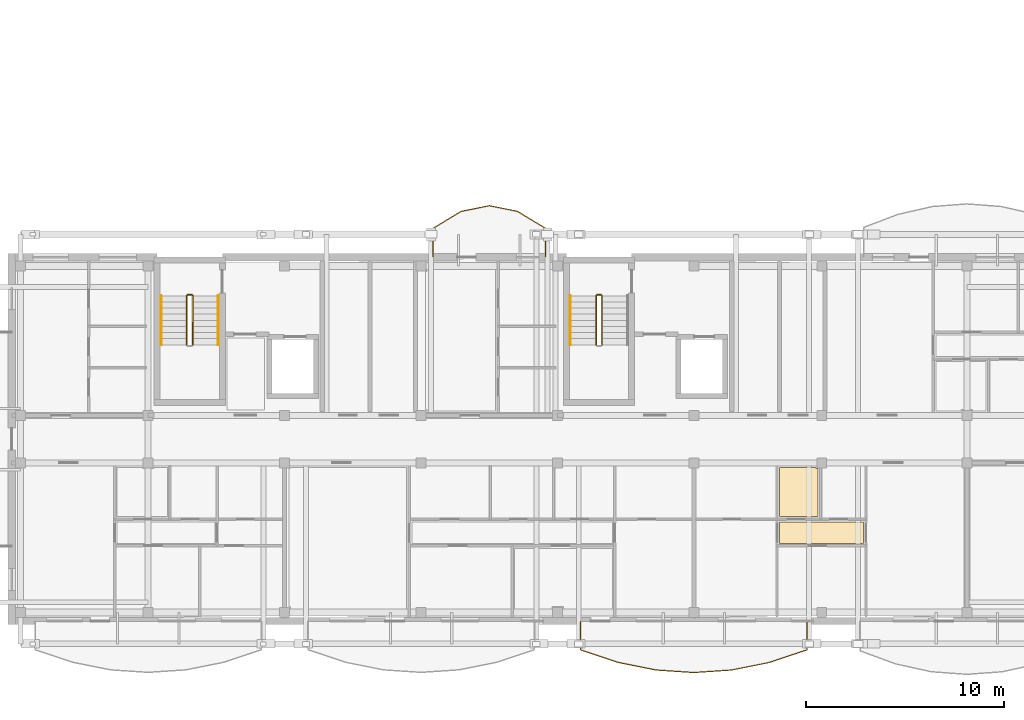
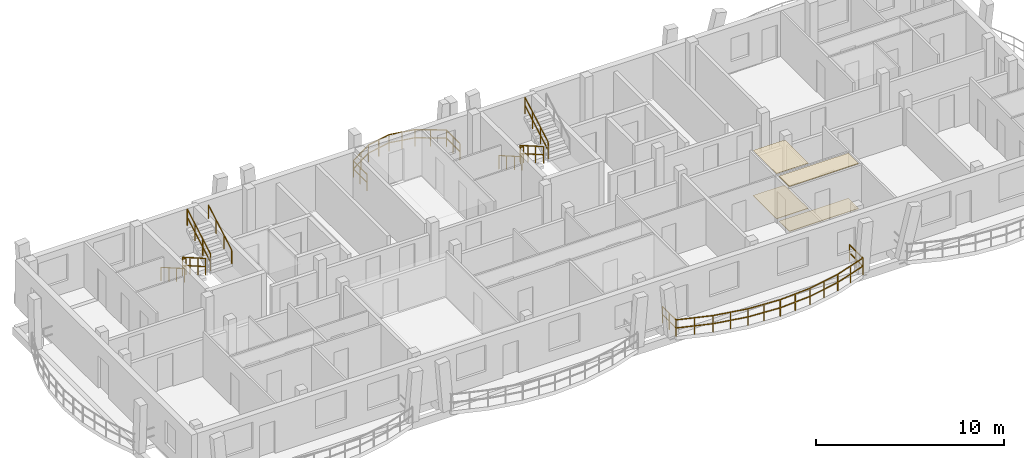
# One storey, part 38 of 48: 11 railings, 4 coverings.
"""IFC4 building model written with IfcOpenShell, lengths in metres."""

from ifc_helpers import new_model, si_unit, direction, frame, origin, origin_2d, place, context, subcontext, project, spatial, polyline, rectangle, outline, extrude, material, layer, layer_set, type_object, element, save


model = new_model("IFC4")

# Units and contexts
model_context = context("Model", 3, precision=1e-05, world=origin(), true_north=direction((0.0, 1.0)))
body_context = subcontext(model_context, "Body", "Model", "MODEL_VIEW")
ifc_project = project(units=[si_unit("LENGTHUNIT", "METRE"), si_unit("AREAUNIT", "SQUARE_METRE"), si_unit("VOLUMEUNIT", "CUBIC_METRE"), si_unit("PLANEANGLEUNIT", "RADIAN"), si_unit("MASSUNIT", "GRAM", prefix="KILO")], contexts=[model_context])

# Site, building, storey
site_placement = place(None, origin())
site = spatial("IfcSite", under=ifc_project, at=site_placement, CompositionType="ELEMENT")
building_placement = place(site_placement, origin())
building = spatial("IfcBuilding", under=site, at=building_placement, Name="Zavelmont Quarter", CompositionType="ELEMENT")
storey_placement = place(building_placement, frame((0.0, 0.0, 17.60009765625)))
storey = spatial("IfcBuildingStorey", under=building, at=storey_placement, Name="L05", CompositionType="ELEMENT", Elevation=17.60009765625)

# Coverings
ifc_material_1 = material(Name="Slatted European ash acoustic baffle ceiling")
ifc_layer_1 = layer(ifc_material_1, 0.0400390625)
ifc_layer_set_1 = layer_set([ifc_layer_1], Name="Slatted European ash acoustic baffle ceiling")
covering_type_1 = type_object("IfcCoveringType", Name="CV-CL02", PredefinedType="CEILING", material=ifc_layer_set_1)
covering_1_placement = place(storey_placement, frame((0.0, 0.0, 2.909912109375)))
element("IfcCovering", 1, at=covering_1_placement, inside=storey, type_object=covering_type_1, Name="L05 Apartment Hall acoustic ceiling", PredefinedType="CEILING", context=body_context, shape_type="SweptSolid", body=[
    extrude(outline(polyline([(38.830078125, 5.02001953125), (43.070068359375, 5.02001953125), (43.070068359375, 3.929931640625), (38.830078125, 3.929931640625), (38.830078125, 5.02001953125)])), origin(), (0.0, 0.0, 1.0), 0.0400390625),
])
ifc_material_2 = material(Name="Moisture-resistant painted gypsum ceiling")
ifc_layer_2 = layer(ifc_material_2, 0.02001953125)
ifc_layer_set_2 = layer_set([ifc_layer_2], Name="Moisture-resistant painted gypsum ceiling")
covering_type_2 = type_object("IfcCoveringType", Name="CV-CL04", PredefinedType="CEILING", material=ifc_layer_set_2)
covering_2_placement = place(storey_placement, frame((0.0, 0.0, 2.929931640625)))
element("IfcCovering", 2, at=covering_2_placement, inside=storey, type_object=covering_type_2, Name="L05 Bathroom acoustic ceiling", PredefinedType="CEILING", context=body_context, shape_type="SweptSolid", body=[
    extrude(outline(polyline([(38.830078125, 7.77001953125), (40.669921875, 7.77001953125), (40.669921875, 7.7099609375), (40.77001953125, 7.7099609375), (40.77001953125, 5.280029296875), (38.830078125, 5.280029296875), (38.830078125, 7.77001953125)])), origin(), (0.0, 0.0, 1.0), 0.02001953125),
])
ifc_material_3 = material(Name="Honed Belgian bluestone tile", Category="masonry")
ifc_layer_3 = layer(ifc_material_3, 0.030029296875)
ifc_layer_set_3 = layer_set([ifc_layer_3], Name="Honed Belgian bluestone tile")
covering_type_3 = type_object("IfcCoveringType", Name="CV-FL02", PredefinedType="FLOORING", material=ifc_layer_set_3)
covering_3_placement = place(storey_placement, origin())
element("IfcCovering", 3, at=covering_3_placement, inside=storey, type_object=covering_type_3, Name="L05 Apartment Hall floor finish", PredefinedType="FLOORING", context=body_context, shape_type="SweptSolid", body=[
    extrude(outline(polyline([(38.830078125, 5.02001953125), (43.070068359375, 5.02001953125), (43.070068359375, 3.929931640625), (38.830078125, 3.929931640625), (38.830078125, 5.02001953125)])), origin(), (0.0, 0.0, 1.0), 0.02978515625),
])
ifc_material_4 = material(Name="Slip-resistant porcelain tile")
ifc_layer_4 = layer(ifc_material_4, 0.02587890625)
ifc_layer_set_4 = layer_set([ifc_layer_4], Name="Slip-resistant porcelain tile")
covering_type_4 = type_object("IfcCoveringType", Name="CV-FL04", PredefinedType="FLOORING", material=ifc_layer_set_4)
covering_4_placement = place(storey_placement, origin())
element("IfcCovering", 4, at=covering_4_placement, inside=storey, type_object=covering_type_4, Name="L05 Bathroom floor finish", PredefinedType="FLOORING", context=body_context, shape_type="SweptSolid", body=[
    extrude(outline(polyline([(38.830078125, 7.77001953125), (40.669921875, 7.77001953125), (40.669921875, 7.7099609375), (40.77001953125, 7.7099609375), (40.77001953125, 5.280029296875), (38.830078125, 5.280029296875), (38.830078125, 7.77001953125)])), origin(), (0.0, 0.0, 1.0), 0.02587890625),
])

# Railings
ifc_material_5 = material(Name="Powder-coated steel and tempered double safety glass", Category="steel")
railing_type_1 = type_object("IfcRailingType", Name="RL-BAL1", PredefinedType="BALUSTRADE", material=ifc_material_5)
railing_1_placement = place(storey_placement, frame((28.77294921875, -0.02001953125, 0.0)))
element("IfcRailing", 5, at=railing_1_placement, inside=storey, type_object=railing_type_1, Name="L05 Block A curved balcony guard RL-BAL1", PredefinedType="BALUSTRADE", context=body_context, shape_type="SweptSolid", body=[
    extrude(rectangle(XDim=0.048095703125, YDim=0.048095703125, at=origin_2d()), frame((0.0, 0.0, 1.076171875), z_axis=(0.0, -1.0, 0.0), x_axis=(1.0, 0.0, 0.0)), (0.0, 0.0, 1.0), 1.43994140625),
    extrude(rectangle(XDim=0.048095703125, YDim=0.048095703125, at=origin_2d()), frame((0.0, 0.0, 0.550048828125), z_axis=(0.0, -1.0, 0.0), x_axis=(1.0, 0.0, 0.0)), (0.0, 0.0, 1.0), 1.43994140625),
    extrude(rectangle(XDim=0.048095703125, YDim=0.048095703125, at=origin_2d()), frame((0.0, -1.43994140625, 1.076171875), z_axis=(0.948549768801, -0.316628072205, 0.0), x_axis=(0.316628072205, 0.948549768801, 0.0)), (0.0, 0.0, 1.0), 2.012451171875),
    extrude(rectangle(XDim=0.048095703125, YDim=0.048095703125, at=origin_2d()), frame((0.0, -1.43994140625, 0.550048828125), z_axis=(0.948549768801, -0.316628072205, 0.0), x_axis=(0.316628072205, 0.948549768801, 0.0)), (0.0, 0.0, 1.0), 2.012451171875),
    extrude(rectangle(XDim=0.048095703125, YDim=0.048095703125, at=origin_2d()), frame((1.908935546875, -2.0771484375, 1.076171875), z_axis=(0.980532419975, -0.19635725955, 0.0), x_axis=(0.19635725955, 0.980532419975, 0.0)), (0.0, 0.0, 1.0), 1.947021484375),
    extrude(rectangle(XDim=0.048095703125, YDim=0.048095703125, at=origin_2d()), frame((1.908935546875, -2.0771484375, 0.550048828125), z_axis=(0.980532419975, -0.19635725955, 0.0), x_axis=(0.19635725955, 0.980532419975, 0.0)), (0.0, 0.0, 1.0), 1.947021484375),
    extrude(rectangle(XDim=0.048095703125, YDim=0.048095703125, at=origin_2d()), frame((3.818115234375, -2.45947265625, 1.076171875), z_axis=(0.997778942424, -0.066612176486, 0.0), x_axis=(0.066612176486, 0.997778942424, 0.0)), (0.0, 0.0, 1.0), 1.9130859375),
    extrude(rectangle(XDim=0.048095703125, YDim=0.048095703125, at=origin_2d()), frame((3.818115234375, -2.45947265625, 0.550048828125), z_axis=(0.997778942424, -0.066612176486, 0.0), x_axis=(0.066612176486, 0.997778942424, 0.0)), (0.0, 0.0, 1.0), 1.9130859375),
    extrude(rectangle(XDim=0.048095703125, YDim=0.048095703125, at=origin_2d()), frame((5.72705078125, -2.5869140625, 1.076171875), z_axis=(0.997778942424, 0.066612176486, 0.0), x_axis=(-0.066612176486, 0.997778942424, 0.0)), (0.0, 0.0, 1.0), 1.9130859375),
    extrude(rectangle(XDim=0.048095703125, YDim=0.048095703125, at=origin_2d()), frame((5.72705078125, -2.5869140625, 0.550048828125), z_axis=(0.997778942424, 0.066612176486, 0.0), x_axis=(-0.066612176486, 0.997778942424, 0.0)), (0.0, 0.0, 1.0), 1.9130859375),
    extrude(rectangle(XDim=0.048095703125, YDim=0.048095703125, at=origin_2d()), frame((7.635986328125, -2.45947265625, 1.076171875), z_axis=(0.980532419975, 0.19635725955, 0.0), x_axis=(-0.19635725955, 0.980532419975, 0.0)), (0.0, 0.0, 1.0), 1.947021484375),
    extrude(rectangle(XDim=0.048095703125, YDim=0.048095703125, at=origin_2d()), frame((7.635986328125, -2.45947265625, 0.550048828125), z_axis=(0.980532419975, 0.19635725955, 0.0), x_axis=(-0.19635725955, 0.980532419975, 0.0)), (0.0, 0.0, 1.0), 1.947021484375),
    extrude(rectangle(XDim=0.048095703125, YDim=0.048095703125, at=origin_2d()), frame((9.545166015625, -2.0771484375, 1.076171875), z_axis=(0.948549768801, 0.316628072205, 0.0), x_axis=(-0.316628072205, 0.948549768801, 0.0)), (0.0, 0.0, 1.0), 2.012451171875),
    extrude(rectangle(XDim=0.048095703125, YDim=0.048095703125, at=origin_2d()), frame((9.545166015625, -2.0771484375, 0.550048828125), z_axis=(0.948549768801, 0.316628072205, 0.0), x_axis=(-0.316628072205, 0.948549768801, 0.0)), (0.0, 0.0, 1.0), 2.012451171875),
    extrude(rectangle(XDim=0.048095703125, YDim=0.048095703125, at=origin_2d()), frame((11.4541015625, -1.43994140625, 1.076171875), z_axis=(0.0, 1.0, 0.0), x_axis=(-1.0, 0.0, 0.0)), (0.0, 0.0, 1.0), 1.43994140625),
    extrude(rectangle(XDim=0.048095703125, YDim=0.048095703125, at=origin_2d()), frame((11.4541015625, -1.43994140625, 0.550048828125), z_axis=(0.0, 1.0, 0.0), x_axis=(-1.0, 0.0, 0.0)), (0.0, 0.0, 1.0), 1.43994140625),
    extrude(rectangle(XDim=0.0419921875, YDim=0.0419921875, at=origin_2d()), origin(), (0.0, 0.0, 1.0), 1.052001953125),
    extrude(rectangle(XDim=0.0419921875, YDim=0.0419921875, at=origin_2d()), frame((0.0, -0.719970703125, 0.0)), (0.0, 0.0, 1.0), 1.052001953125),
    extrude(rectangle(XDim=0.0419921875, YDim=0.0419921875, at=origin_2d()), frame((0.0, -1.43994140625, 0.0)), (0.0, 0.0, 1.0), 1.052001953125),
    extrude(rectangle(XDim=0.0419921875, YDim=0.0419921875, at=origin_2d()), frame((0.95458984375, -1.758544921875, 0.0)), (0.0, 0.0, 1.0), 1.052001953125),
    extrude(rectangle(XDim=0.0419921875, YDim=0.0419921875, at=origin_2d()), frame((1.908935546875, -2.0771484375, 0.0)), (0.0, 0.0, 1.0), 1.052001953125),
    extrude(rectangle(XDim=0.0419921875, YDim=0.0419921875, at=origin_2d()), frame((2.863525390625, -2.268310546875, 0.0)), (0.0, 0.0, 1.0), 1.052001953125),
    extrude(rectangle(XDim=0.0419921875, YDim=0.0419921875, at=origin_2d()), frame((3.818115234375, -2.45947265625, 0.0)), (0.0, 0.0, 1.0), 1.052001953125),
    extrude(rectangle(XDim=0.0419921875, YDim=0.0419921875, at=origin_2d()), frame((4.7724609375, -2.523193359375, 0.0)), (0.0, 0.0, 1.0), 1.052001953125),
    extrude(rectangle(XDim=0.0419921875, YDim=0.0419921875, at=origin_2d()), frame((5.72705078125, -2.5869140625, 0.0)), (0.0, 0.0, 1.0), 1.052001953125),
    extrude(rectangle(XDim=0.0419921875, YDim=0.0419921875, at=origin_2d()), frame((6.681640625, -2.523193359375, 0.0)), (0.0, 0.0, 1.0), 1.052001953125),
    extrude(rectangle(XDim=0.0419921875, YDim=0.0419921875, at=origin_2d()), frame((7.635986328125, -2.45947265625, 0.0)), (0.0, 0.0, 1.0), 1.052001953125),
    extrude(rectangle(XDim=0.0419921875, YDim=0.0419921875, at=origin_2d()), frame((8.590576171875, -2.268310546875, 0.0)), (0.0, 0.0, 1.0), 1.052001953125),
    extrude(rectangle(XDim=0.0419921875, YDim=0.0419921875, at=origin_2d()), frame((9.545166015625, -2.0771484375, 0.0)), (0.0, 0.0, 1.0), 1.052001953125),
    extrude(rectangle(XDim=0.0419921875, YDim=0.0419921875, at=origin_2d()), frame((10.49951171875, -1.758544921875, 0.0)), (0.0, 0.0, 1.0), 1.052001953125),
    extrude(rectangle(XDim=0.0419921875, YDim=0.0419921875, at=origin_2d()), frame((11.4541015625, -1.43994140625, 0.0)), (0.0, 0.0, 1.0), 1.052001953125),
    extrude(rectangle(XDim=0.0419921875, YDim=0.0419921875, at=origin_2d()), frame((11.4541015625, -0.719970703125, 0.0)), (0.0, 0.0, 1.0), 1.052001953125),
    extrude(rectangle(XDim=0.0419921875, YDim=0.0419921875, at=origin_2d()), frame((11.4541015625, 0.0, 0.0)), (0.0, 0.0, 1.0), 1.052001953125),
])
railing_2_placement = place(storey_placement, frame((27.0, 18.419921875, 0.0)))
element("IfcRailing", 6, at=railing_2_placement, inside=storey, type_object=railing_type_1, Name="L05 Block A curved balcony guard RL-BAL1", PredefinedType="BALUSTRADE", context=body_context, shape_type="SweptSolid", body=[
    extrude(rectangle(XDim=0.048095703125, YDim=0.048095703125, at=origin_2d()), frame((0.0, 0.0, 1.076171875), z_axis=(0.0, 1.0, 0.0), x_axis=(-1.0, 0.0, 0.0)), (0.0, 0.0, 1.0), 1.43994140625),
    extrude(rectangle(XDim=0.048095703125, YDim=0.048095703125, at=origin_2d()), frame((0.0, 0.0, 0.550048828125), z_axis=(0.0, 1.0, 0.0), x_axis=(-1.0, 0.0, 0.0)), (0.0, 0.0, 1.0), 1.43994140625),
    extrude(rectangle(XDim=0.048095703125, YDim=0.048095703125, at=origin_2d()), frame((0.0, 1.43994140625, 1.076171875), z_axis=(-0.856079138137, 0.516844763199, 0.0), x_axis=(-0.516844763199, -0.856079138137, 0.0)), (0.0, 0.0, 1.0), 1.66455078125),
    extrude(rectangle(XDim=0.048095703125, YDim=0.048095703125, at=origin_2d()), frame((0.0, 1.43994140625, 0.550048828125), z_axis=(-0.856079138137, 0.516844763199, 0.0), x_axis=(-0.516844763199, -0.856079138137, 0.0)), (0.0, 0.0, 1.0), 1.66455078125),
    extrude(rectangle(XDim=0.048095703125, YDim=0.048095703125, at=origin_2d()), frame((-1.425048828125, 2.30029296875, 1.076171875), z_axis=(-0.980334439632, 0.197343321324, 0.0), x_axis=(-0.197343321324, -0.980334439632, 0.0)), (0.0, 0.0, 1.0), 1.45361328125),
    extrude(rectangle(XDim=0.048095703125, YDim=0.048095703125, at=origin_2d()), frame((-1.425048828125, 2.30029296875, 0.550048828125), z_axis=(-0.980334439632, 0.197343321324, 0.0), x_axis=(-0.197343321324, -0.980334439632, 0.0)), (0.0, 0.0, 1.0), 1.45361328125),
    extrude(rectangle(XDim=0.048095703125, YDim=0.048095703125, at=origin_2d()), frame((-2.85009765625, 2.587158203125, 1.076171875), z_axis=(-0.980327897238, -0.197375818926, 0.0), x_axis=(0.197375818926, -0.980327897238, 0.0)), (0.0, 0.0, 1.0), 1.453369140625),
    extrude(rectangle(XDim=0.048095703125, YDim=0.048095703125, at=origin_2d()), frame((-2.85009765625, 2.587158203125, 0.550048828125), z_axis=(-0.980327897238, -0.197375818926, 0.0), x_axis=(0.197375818926, -0.980327897238, 0.0)), (0.0, 0.0, 1.0), 1.453369140625),
    extrude(rectangle(XDim=0.048095703125, YDim=0.048095703125, at=origin_2d()), frame((-4.27490234375, 2.30029296875, 1.076171875), z_axis=(-0.856079138137, -0.516844763199, 0.0), x_axis=(0.516844763199, -0.856079138137, 0.0)), (0.0, 0.0, 1.0), 1.66455078125),
    extrude(rectangle(XDim=0.048095703125, YDim=0.048095703125, at=origin_2d()), frame((-4.27490234375, 2.30029296875, 0.550048828125), z_axis=(-0.856079138137, -0.516844763199, 0.0), x_axis=(0.516844763199, -0.856079138137, 0.0)), (0.0, 0.0, 1.0), 1.66455078125),
    extrude(rectangle(XDim=0.048095703125, YDim=0.048095703125, at=origin_2d()), frame((-5.699951171875, 1.43994140625, 1.076171875), z_axis=(0.0, -1.0, 0.0), x_axis=(1.0, 0.0, 0.0)), (0.0, 0.0, 1.0), 1.43994140625),
    extrude(rectangle(XDim=0.048095703125, YDim=0.048095703125, at=origin_2d()), frame((-5.699951171875, 1.43994140625, 0.550048828125), z_axis=(0.0, -1.0, 0.0), x_axis=(1.0, 0.0, 0.0)), (0.0, 0.0, 1.0), 1.43994140625),
    extrude(rectangle(XDim=0.0419921875, YDim=0.0419921875, at=origin_2d()), origin(), (0.0, 0.0, 1.0), 1.052001953125),
    extrude(rectangle(XDim=0.0419921875, YDim=0.0419921875, at=origin_2d()), frame((0.0, 0.719970703125, 0.0)), (0.0, 0.0, 1.0), 1.052001953125),
    extrude(rectangle(XDim=0.0419921875, YDim=0.0419921875, at=origin_2d()), frame((0.0, 1.43994140625, 0.0)), (0.0, 0.0, 1.0), 1.052001953125),
    extrude(rectangle(XDim=0.0419921875, YDim=0.0419921875, at=origin_2d()), frame((-0.71240234375, 1.8701171875, 0.0)), (0.0, 0.0, 1.0), 1.052001953125),
    extrude(rectangle(XDim=0.0419921875, YDim=0.0419921875, at=origin_2d()), frame((-1.425048828125, 2.30029296875, 0.0)), (0.0, 0.0, 1.0), 1.052001953125),
    extrude(rectangle(XDim=0.0419921875, YDim=0.0419921875, at=origin_2d()), frame((-2.1376953125, 2.44384765625, 0.0)), (0.0, 0.0, 1.0), 1.052001953125),
    extrude(rectangle(XDim=0.0419921875, YDim=0.0419921875, at=origin_2d()), frame((-2.85009765625, 2.587158203125, 0.0)), (0.0, 0.0, 1.0), 1.052001953125),
    extrude(rectangle(XDim=0.0419921875, YDim=0.0419921875, at=origin_2d()), frame((-3.5625, 2.44384765625, 0.0)), (0.0, 0.0, 1.0), 1.052001953125),
    extrude(rectangle(XDim=0.0419921875, YDim=0.0419921875, at=origin_2d()), frame((-4.27490234375, 2.30029296875, 0.0)), (0.0, 0.0, 1.0), 1.052001953125),
    extrude(rectangle(XDim=0.0419921875, YDim=0.0419921875, at=origin_2d()), frame((-4.9873046875, 1.8701171875, 0.0)), (0.0, 0.0, 1.0), 1.052001953125),
    extrude(rectangle(XDim=0.0419921875, YDim=0.0419921875, at=origin_2d()), frame((-5.699951171875, 1.43994140625, 0.0)), (0.0, 0.0, 1.0), 1.052001953125),
    extrude(rectangle(XDim=0.0419921875, YDim=0.0419921875, at=origin_2d()), frame((-5.699951171875, 0.719970703125, 0.0)), (0.0, 0.0, 1.0), 1.052001953125),
    extrude(rectangle(XDim=0.0419921875, YDim=0.0419921875, at=origin_2d()), frame((-5.699951171875, 0.0, 0.0)), (0.0, 0.0, 1.0), 1.052001953125),
])
ifc_material_6 = material(Name="Powder-coated steel stair guardrail", Category="steel")
railing_type_2 = type_object("IfcRailingType", Name="RL-GRD1", PredefinedType="GUARDRAIL", material=ifc_material_6)
railing_3_placement = place(storey_placement, frame((8.85009765625, 16.449951171875, 0.177734375)))
element("IfcRailing", 7, at=railing_3_placement, inside=storey, type_object=railing_type_2, Name="L05 ST01 stair guardrail 1", PredefinedType="GUARDRAIL", context=body_context, shape_type="SweptSolid", body=[
    extrude(rectangle(XDim=0.048095703125, YDim=0.048095703125, at=origin_2d()), frame((0.0, 0.0, 1.076171875), z_axis=(0.0, -0.867490628297, 0.497453525283), x_axis=(1.0, 0.0, 0.0)), (0.0, 0.0, 1.0), 2.85888671875),
    extrude(rectangle(XDim=0.048095703125, YDim=0.048095703125, at=origin_2d()), frame((0.0, 0.0, 0.550048828125), z_axis=(0.0, -0.867490628297, 0.497453525283), x_axis=(1.0, 0.0, 0.0)), (0.0, 0.0, 1.0), 2.85888671875),
    extrude(rectangle(XDim=0.0419921875, YDim=0.0419921875, at=origin_2d()), origin(), (0.0, 0.0, 1.0), 1.052001953125),
    extrude(rectangle(XDim=0.0419921875, YDim=0.0419921875, at=origin_2d()), frame((0.0, -0.82666015625, 0.47412109375)), (0.0, 0.0, 1.0), 1.052001953125),
    extrude(rectangle(XDim=0.0419921875, YDim=0.0419921875, at=origin_2d()), frame((0.0, -1.6533203125, 0.947998046875)), (0.0, 0.0, 1.0), 1.052001953125),
    extrude(rectangle(XDim=0.0419921875, YDim=0.0419921875, at=origin_2d()), frame((0.0, -2.47998046875, 1.422119140625)), (0.0, 0.0, 1.0), 1.052001953125),
])
railing_4_placement = place(storey_placement, frame((9.14990234375, 13.969970703125, 1.777587890625)))
element("IfcRailing", 8, at=railing_4_placement, inside=storey, type_object=railing_type_2, Name="L05 ST01 stair guardrail 3", PredefinedType="GUARDRAIL", context=body_context, shape_type="SweptSolid", body=[
    extrude(rectangle(XDim=0.048095703125, YDim=0.048095703125, at=origin_2d()), frame((0.0, 0.0, 1.076171875), z_axis=(0.0, 0.867453774394, 0.497517787913), x_axis=(-1.0, 0.0, 0.0)), (0.0, 0.0, 1.0), 2.85888671875),
    extrude(rectangle(XDim=0.048095703125, YDim=0.048095703125, at=origin_2d()), frame((0.0, 0.0, 0.550048828125), z_axis=(0.0, 0.867453774394, 0.497517787913), x_axis=(-1.0, 0.0, 0.0)), (0.0, 0.0, 1.0), 2.85888671875),
    extrude(rectangle(XDim=0.0419921875, YDim=0.0419921875, at=origin_2d()), origin(), (0.0, 0.0, 1.0), 1.052001953125),
    extrude(rectangle(XDim=0.0419921875, YDim=0.0419921875, at=origin_2d()), frame((0.0, 0.82666015625, 0.47412109375)), (0.0, 0.0, 1.0), 1.052001953125),
    extrude(rectangle(XDim=0.0419921875, YDim=0.0419921875, at=origin_2d()), frame((0.0, 1.6533203125, 0.9482421875)), (0.0, 0.0, 1.0), 1.052001953125),
    extrude(rectangle(XDim=0.0419921875, YDim=0.0419921875, at=origin_2d()), frame((0.0, 2.47998046875, 1.42236328125)), (0.0, 0.0, 1.0), 1.052001953125),
])
railing_5_placement = place(storey_placement, frame((8.89990234375, 16.5, 0.0)))
element("IfcRailing", 9, at=railing_5_placement, inside=storey, type_object=railing_type_2, Name="L05 ST01 stair guardrail 4", PredefinedType="GUARDRAIL", context=body_context, shape_type="SweptSolid", body=[
    extrude(rectangle(XDim=0.048095703125, YDim=0.048095703125, at=origin_2d()), frame((0.0, 0.0, 1.076171875), z_axis=(1.0, 0.0, 0.0), x_axis=(0.0, 1.0, 0.0)), (0.0, 0.0, 1.0), 0.2001953125),
    extrude(rectangle(XDim=0.048095703125, YDim=0.048095703125, at=origin_2d()), frame((0.0, 0.0, 0.550048828125), z_axis=(1.0, 0.0, 0.0), x_axis=(0.0, 1.0, 0.0)), (0.0, 0.0, 1.0), 0.2001953125),
    extrude(rectangle(XDim=0.0419921875, YDim=0.0419921875, at=origin_2d()), origin(), (0.0, 0.0, 1.0), 1.052001953125),
    extrude(rectangle(XDim=0.0419921875, YDim=0.0419921875, at=origin_2d()), frame((0.2001953125, 0.0, 0.0)), (0.0, 0.0, 1.0), 1.052001953125),
])
railing_6_placement = place(storey_placement, frame((29.550048828125, 16.449951171875, 0.177734375)))
element("IfcRailing", 10, at=railing_6_placement, inside=storey, type_object=railing_type_2, Name="L05 ST02 stair guardrail 1", PredefinedType="GUARDRAIL", context=body_context, shape_type="SweptSolid", body=[
    extrude(rectangle(XDim=0.048095703125, YDim=0.048095703125, at=origin_2d()), frame((0.0, 0.0, 1.076171875), z_axis=(0.0, -0.867490628297, 0.497453525283), x_axis=(1.0, 0.0, 0.0)), (0.0, 0.0, 1.0), 2.85888671875),
    extrude(rectangle(XDim=0.048095703125, YDim=0.048095703125, at=origin_2d()), frame((0.0, 0.0, 0.550048828125), z_axis=(0.0, -0.867490628297, 0.497453525283), x_axis=(1.0, 0.0, 0.0)), (0.0, 0.0, 1.0), 2.85888671875),
    extrude(rectangle(XDim=0.0419921875, YDim=0.0419921875, at=origin_2d()), origin(), (0.0, 0.0, 1.0), 1.052001953125),
    extrude(rectangle(XDim=0.0419921875, YDim=0.0419921875, at=origin_2d()), frame((0.0, -0.82666015625, 0.47412109375)), (0.0, 0.0, 1.0), 1.052001953125),
    extrude(rectangle(XDim=0.0419921875, YDim=0.0419921875, at=origin_2d()), frame((0.0, -1.6533203125, 0.947998046875)), (0.0, 0.0, 1.0), 1.052001953125),
    extrude(rectangle(XDim=0.0419921875, YDim=0.0419921875, at=origin_2d()), frame((0.0, -2.47998046875, 1.422119140625)), (0.0, 0.0, 1.0), 1.052001953125),
])
railing_7_placement = place(storey_placement, frame((29.85009765625, 13.969970703125, 1.777587890625)))
element("IfcRailing", 11, at=railing_7_placement, inside=storey, type_object=railing_type_2, Name="L05 ST02 stair guardrail 3", PredefinedType="GUARDRAIL", context=body_context, shape_type="SweptSolid", body=[
    extrude(rectangle(XDim=0.048095703125, YDim=0.048095703125, at=origin_2d()), frame((0.0, 0.0, 1.076171875), z_axis=(0.0, 0.867453774394, 0.497517787913), x_axis=(-1.0, 0.0, 0.0)), (0.0, 0.0, 1.0), 2.85888671875),
    extrude(rectangle(XDim=0.048095703125, YDim=0.048095703125, at=origin_2d()), frame((0.0, 0.0, 0.550048828125), z_axis=(0.0, 0.867453774394, 0.497517787913), x_axis=(-1.0, 0.0, 0.0)), (0.0, 0.0, 1.0), 2.85888671875),
    extrude(rectangle(XDim=0.0419921875, YDim=0.0419921875, at=origin_2d()), origin(), (0.0, 0.0, 1.0), 1.052001953125),
    extrude(rectangle(XDim=0.0419921875, YDim=0.0419921875, at=origin_2d()), frame((0.0, 0.82666015625, 0.47412109375)), (0.0, 0.0, 1.0), 1.052001953125),
    extrude(rectangle(XDim=0.0419921875, YDim=0.0419921875, at=origin_2d()), frame((0.0, 1.6533203125, 0.9482421875)), (0.0, 0.0, 1.0), 1.052001953125),
    extrude(rectangle(XDim=0.0419921875, YDim=0.0419921875, at=origin_2d()), frame((0.0, 2.47998046875, 1.42236328125)), (0.0, 0.0, 1.0), 1.052001953125),
])
railing_8_placement = place(storey_placement, frame((29.60009765625, 16.5, 0.0)))
element("IfcRailing", 12, at=railing_8_placement, inside=storey, type_object=railing_type_2, Name="L05 ST02 stair guardrail 4", PredefinedType="GUARDRAIL", context=body_context, shape_type="SweptSolid", body=[
    extrude(rectangle(XDim=0.048095703125, YDim=0.048095703125, at=origin_2d()), frame((0.0, 0.0, 1.076171875), z_axis=(1.0, 0.0, 0.0), x_axis=(0.0, 1.0, 0.0)), (0.0, 0.0, 1.0), 0.199951171875),
    extrude(rectangle(XDim=0.048095703125, YDim=0.048095703125, at=origin_2d()), frame((0.0, 0.0, 0.550048828125), z_axis=(1.0, 0.0, 0.0), x_axis=(0.0, 1.0, 0.0)), (0.0, 0.0, 1.0), 0.199951171875),
    extrude(rectangle(XDim=0.0419921875, YDim=0.0419921875, at=origin_2d()), origin(), (0.0, 0.0, 1.0), 1.052001953125),
    extrude(rectangle(XDim=0.0419921875, YDim=0.0419921875, at=origin_2d()), frame((0.199951171875, 0.0, 0.0)), (0.0, 0.0, 1.0), 1.052001953125),
])
ifc_material_7 = material(Name="Brushed stainless-steel wall handrail", Category="steel")
railing_type_3 = type_object("IfcRailingType", Name="RL-HND1", PredefinedType="HANDRAIL", material=ifc_material_7)
railing_9_placement = place(storey_placement, frame((7.550048828125, 16.449951171875, 0.177734375)))
element("IfcRailing", 13, at=railing_9_placement, inside=storey, type_object=railing_type_3, Name="L05 ST01 stair handrail 1", PredefinedType="HANDRAIL", context=body_context, shape_type="SweptSolid", body=[
    extrude(rectangle(XDim=0.048095703125, YDim=0.048095703125, at=origin_2d()), frame((0.0, 0.0, 0.8759765625), z_axis=(0.0, -0.867490628297, 0.497453525283), x_axis=(1.0, 0.0, 0.0)), (0.0, 0.0, 1.0), 2.85888671875),
    extrude(rectangle(XDim=0.0419921875, YDim=0.0419921875, at=origin_2d()), origin(), (0.0, 0.0, 1.0), 0.851806640625),
    extrude(rectangle(XDim=0.0419921875, YDim=0.0419921875, at=origin_2d()), frame((0.0, -0.82666015625, 0.47412109375)), (0.0, 0.0, 1.0), 0.851806640625),
    extrude(rectangle(XDim=0.0419921875, YDim=0.0419921875, at=origin_2d()), frame((0.0, -1.6533203125, 0.947998046875)), (0.0, 0.0, 1.0), 0.851806640625),
    extrude(rectangle(XDim=0.0419921875, YDim=0.0419921875, at=origin_2d()), frame((0.0, -2.47998046875, 1.422119140625)), (0.0, 0.0, 1.0), 0.851806640625),
])
railing_10_placement = place(storey_placement, frame((10.449951171875, 13.969970703125, 1.777587890625)))
element("IfcRailing", 14, at=railing_10_placement, inside=storey, type_object=railing_type_3, Name="L05 ST01 stair handrail 2", PredefinedType="HANDRAIL", context=body_context, shape_type="SweptSolid", body=[
    extrude(rectangle(XDim=0.048095703125, YDim=0.048095703125, at=origin_2d()), frame((0.0, 0.0, 0.8759765625), z_axis=(0.0, 0.867453774394, 0.497517787913), x_axis=(-1.0, 0.0, 0.0)), (0.0, 0.0, 1.0), 2.85888671875),
    extrude(rectangle(XDim=0.0419921875, YDim=0.0419921875, at=origin_2d()), origin(), (0.0, 0.0, 1.0), 0.851806640625),
    extrude(rectangle(XDim=0.0419921875, YDim=0.0419921875, at=origin_2d()), frame((0.0, 0.82666015625, 0.47412109375)), (0.0, 0.0, 1.0), 0.851806640625),
    extrude(rectangle(XDim=0.0419921875, YDim=0.0419921875, at=origin_2d()), frame((0.0, 1.6533203125, 0.9482421875)), (0.0, 0.0, 1.0), 0.851806640625),
    extrude(rectangle(XDim=0.0419921875, YDim=0.0419921875, at=origin_2d()), frame((0.0, 2.47998046875, 1.42236328125)), (0.0, 0.0, 1.0), 0.851806640625),
])
railing_11_placement = place(storey_placement, frame((28.25, 16.449951171875, 0.177734375)))
element("IfcRailing", 15, at=railing_11_placement, inside=storey, type_object=railing_type_3, Name="L05 ST02 stair handrail 1", PredefinedType="HANDRAIL", context=body_context, shape_type="SweptSolid", body=[
    extrude(rectangle(XDim=0.048095703125, YDim=0.048095703125, at=origin_2d()), frame((0.0, 0.0, 0.8759765625), z_axis=(0.0, -0.867490628297, 0.497453525283), x_axis=(1.0, 0.0, 0.0)), (0.0, 0.0, 1.0), 2.85888671875),
    extrude(rectangle(XDim=0.0419921875, YDim=0.0419921875, at=origin_2d()), origin(), (0.0, 0.0, 1.0), 0.851806640625),
    extrude(rectangle(XDim=0.0419921875, YDim=0.0419921875, at=origin_2d()), frame((0.0, -0.82666015625, 0.47412109375)), (0.0, 0.0, 1.0), 0.851806640625),
    extrude(rectangle(XDim=0.0419921875, YDim=0.0419921875, at=origin_2d()), frame((0.0, -1.6533203125, 0.947998046875)), (0.0, 0.0, 1.0), 0.851806640625),
    extrude(rectangle(XDim=0.0419921875, YDim=0.0419921875, at=origin_2d()), frame((0.0, -2.47998046875, 1.422119140625)), (0.0, 0.0, 1.0), 0.851806640625),
])

save(model, "model.ifc")
